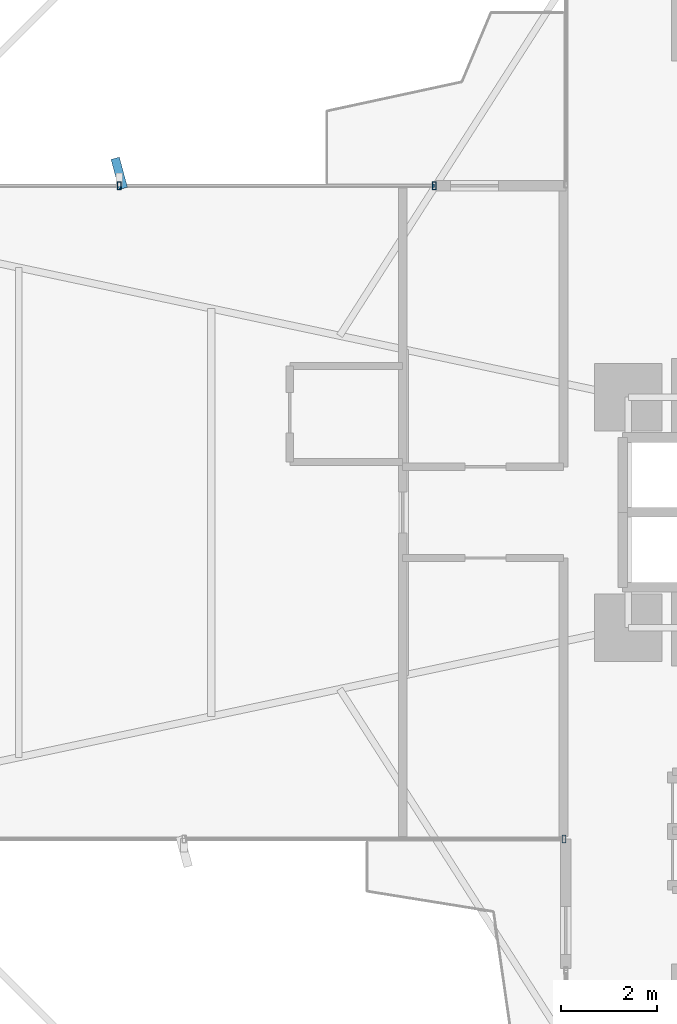
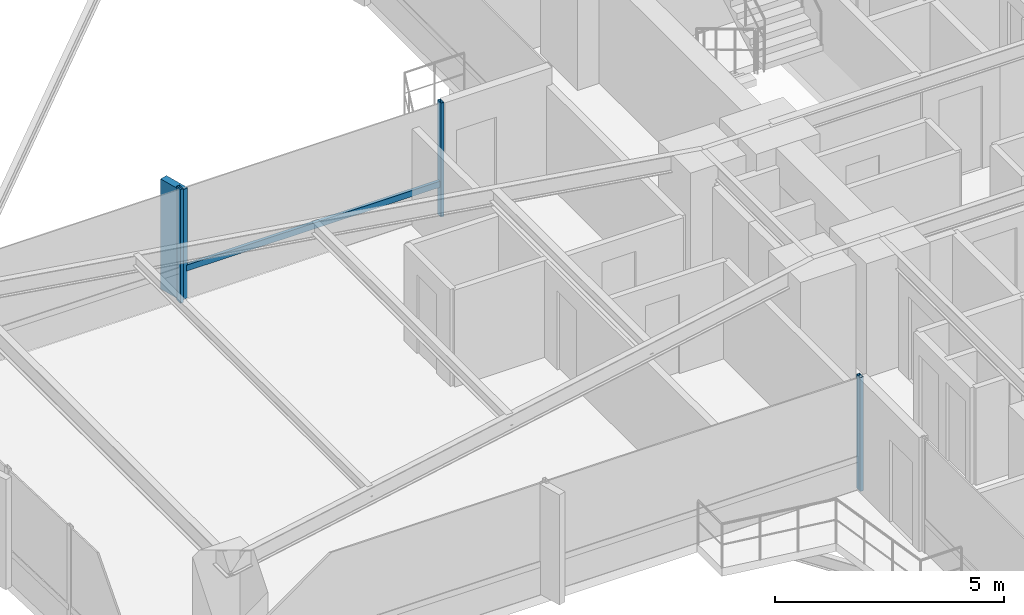
# One storey, part 10 of 25: 5 members, 2 elements without a shape of their own.
"""IFC4 building model written with IfcOpenShell, lengths in metres."""

from ifc_helpers import new_model, si_unit, direction, frame, origin, origin_2d, place, context, subcontext, project, spatial, rectangle, hollow_rectangle, extrude, source, transform, mapped, material, material_profile, profile_set, type_object, element, aggregate, save


model = new_model("IFC4")

# Units and contexts
model_context = context("Model", 3, precision=1e-05, world=origin(), true_north=direction((0.0, 1.0)))
body_context = subcontext(model_context, "Body", "Model", "MODEL_VIEW")
ifc_project = project(units=[si_unit("LENGTHUNIT", "METRE"), si_unit("AREAUNIT", "SQUARE_METRE"), si_unit("VOLUMEUNIT", "CUBIC_METRE"), si_unit("PLANEANGLEUNIT", "RADIAN"), si_unit("MASSUNIT", "GRAM", prefix="KILO")], contexts=[model_context])

# Site, building, storey
site_placement = place(None, origin())
site = spatial("IfcSite", under=ifc_project, at=site_placement, CompositionType="ELEMENT")
building_placement = place(site_placement, origin())
building = spatial("IfcBuilding", under=site, at=building_placement, Name="Sahyath Konkavel Grand Hotel", CompositionType="ELEMENT")
storey_placement = place(building_placement, frame((0.0, 0.0, 71.14990234375)))
storey = spatial("IfcBuildingStorey", under=building, at=storey_placement, Name="L19", CompositionType="ELEMENT", Elevation=71.14990234375)

# Curtain wall, members
ifc_material_1 = material(Name="Anodised Bronze Aluminium & Low-E Glazing", Category="aluminium")
curtain_wall_type = type_object("IfcCurtainWallType", Name="CW-ZONE1", PredefinedType="NOTDEFINED", material=ifc_material_1)
curtain_wall_1_placement = place(storey_placement, origin())
curtain_wall_1 = element("IfcCurtainWall", 1, at=curtain_wall_1_placement, inside=storey, type_object=curtain_wall_type, Name="L19 Unitised Curtain Wall F16", PredefinedType="NOTDEFINED")
ifc_material_2 = material(Name="Anodised Bronze Aluminium", Category="aluminium")
ifc_material_profile_1 = material_profile(ifc_material_2, hollow_rectangle(XDim=0.080078125, YDim=0.159912109375, WallThickness=0.006103515625, at=origin_2d()), Name="RHS 160x80x6")
ifc_profile_set_1 = profile_set([ifc_material_profile_1], Name="Anodised Bronze Aluminium")
member_type_1 = type_object("IfcMemberType", Name="CW-TRN-160", PredefinedType="USERDEFINED", material=ifc_profile_set_1)
shared_shape_1 = source(origin(), body_context, "Body", "SweptSolid", [
    extrude(hollow_rectangle(XDim=0.080078125, YDim=0.159912109375, WallThickness=0.006103515625, at=origin_2d()), origin(), (0.0, 0.0, 1.0), 6.56005859375),
])
member_1_placement = place(storey_placement, frame((-9.5400390625, 6.800048828125, 0.85009765625), z_axis=(-1.0, 0.0, 0.0), x_axis=(0.0, -1.0, 0.0)))
member_1 = element("IfcMember", 2, at=member_1_placement, type_object=member_type_1, Name="L19 Curtain Wall Transom F16-0-spandrel", ObjectType="TRANSOM", PredefinedType="USERDEFINED", context=body_context, shape_type="MappedRepresentation", body=[
    mapped(shared_shape_1, transform((0.0, 0.0, 0.0), scale=1.0)),
])
ifc_material_profile_2 = material_profile(ifc_material_2, hollow_rectangle(XDim=0.080078125, YDim=0.159912109375, WallThickness=0.006103515625, at=origin_2d()), Name="RHS 160x80x6")
ifc_profile_set_2 = profile_set([ifc_material_profile_2], Name="Anodised Bronze Aluminium")
member_type_2 = type_object("IfcMemberType", Name="CW-MUL-160", PredefinedType="MULLION", material=ifc_profile_set_2)
shared_shape_2 = source(origin(), body_context, "Body", "SweptSolid", [
    extrude(hollow_rectangle(XDim=0.080078125, YDim=0.159912109375, WallThickness=0.006103515625, at=origin_2d()), origin(), (0.0, 0.0, 1.0), 3.030029296875),
])
member_2_placement = place(storey_placement, frame((-9.5400390625, 6.800048828125, 0.0), z_axis=(0.0, 0.0, 1.0), x_axis=(1.0, 0.0, 0.0)))
member_2 = element("IfcMember", 3, at=member_2_placement, type_object=member_type_2, Name="L19 Curtain Wall Mullion F16-0", PredefinedType="MULLION", context=body_context, shape_type="MappedRepresentation", body=[
    mapped(shared_shape_2, transform((0.0, 0.0, 0.0), scale=1.0)),
])
member_3_placement = place(storey_placement, frame((-16.10009765625, 6.800048828125, 0.0), z_axis=(0.0, 0.0, 1.0), x_axis=(1.0, 0.0, 0.0)))
member_3 = element("IfcMember", 4, at=member_3_placement, type_object=member_type_2, Name="L19 Curtain Wall Mullion F16-1", PredefinedType="MULLION", context=body_context, shape_type="MappedRepresentation", body=[
    mapped(shared_shape_2, transform((0.0, 0.0, 0.0), scale=1.0)),
])

# Curtain wall, member
curtain_wall_2_placement = place(storey_placement, origin())
curtain_wall_2 = element("IfcCurtainWall", 5, at=curtain_wall_2_placement, inside=storey, type_object=curtain_wall_type, Name="L19 Unitised Curtain Wall F23", PredefinedType="NOTDEFINED")
member_4_placement = place(storey_placement, frame((-6.840087890625, -6.800048828125, 0.0), z_axis=(0.0, 0.0, 1.0), x_axis=(1.0, 0.0, 0.0)))
member_4 = element("IfcMember", 6, at=member_4_placement, type_object=member_type_2, Name="L19 Curtain Wall Mullion F23-2", PredefinedType="MULLION", context=body_context, shape_type="MappedRepresentation", body=[
    mapped(shared_shape_2, transform((0.0, 0.0, 0.0), scale=1.0)),
])
aggregate(curtain_wall_2, [member_4])

# Member
ifc_material_3 = material(Name="Warm Buff Sandstone Cladding on Concrete C50/60", Category="masonry")
ifc_material_profile_3 = material_profile(ifc_material_3, rectangle(XDim=0.179931640625, YDim=0.64990234375, at=origin_2d()), Name="FIN 180x650")
ifc_profile_set_3 = profile_set([ifc_material_profile_3], Name="Warm Buff Sandstone Cladding on Concrete C50/60")
member_type_3 = type_object("IfcMemberType", Name="FIN-SANDSTONE-650", PredefinedType="MULLION", material=ifc_profile_set_3)
shared_shape_3 = source(origin(), body_context, "Body", "SweptSolid", [
    extrude(rectangle(XDim=0.179931640625, YDim=0.64990234375, at=origin_2d()), origin(), (0.0, 0.0, 1.0), 2.929931640625),
])
member_5_placement = place(storey_placement, frame((-16.10009765625, 7.06005859375, 0.050048828125), z_axis=(0.0, 0.0, 1.0), x_axis=(0.965016494472, 0.262189178641, 0.0)))
member_5 = element("IfcMember", 7, at=member_5_placement, type_object=member_type_3, Name="L19 Sandstone Vertical Solar Fin FIN F16-1", PredefinedType="MULLION", context=body_context, shape_type="MappedRepresentation", body=[
    mapped(shared_shape_3, transform((0.0, 0.0, 0.0), scale=1.0)),
])

aggregate(curtain_wall_1, [member_2, member_3, member_5, member_1])

save(model, "model.ifc")
